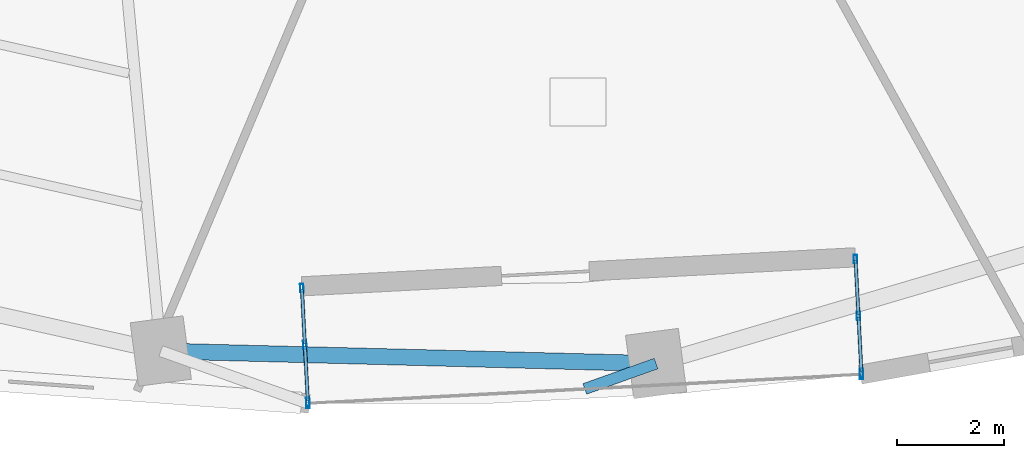
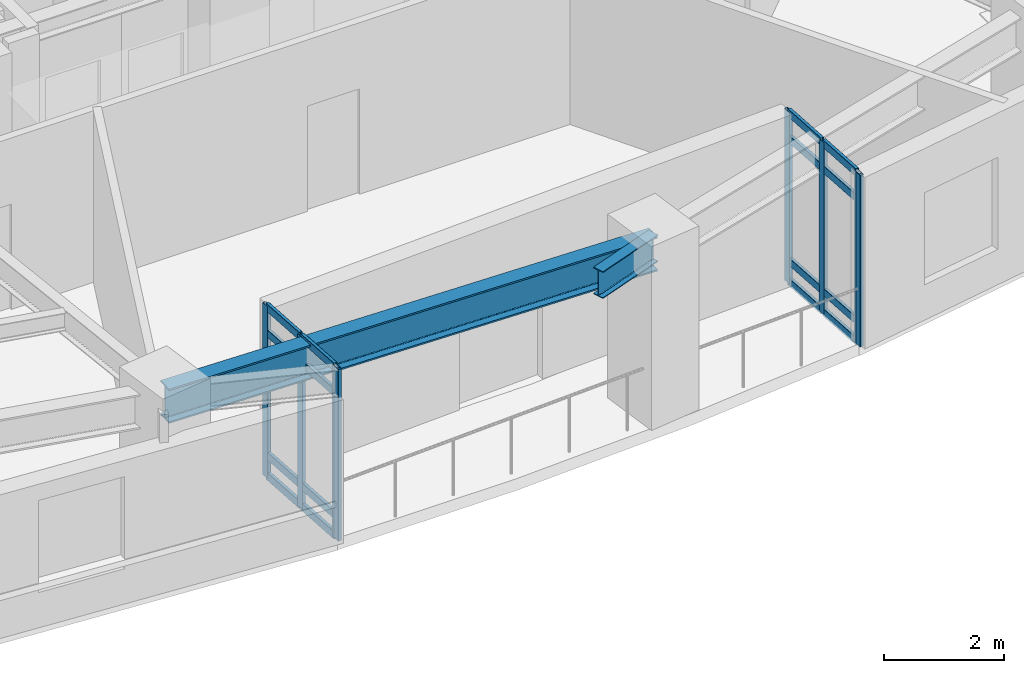
# One storey, part 2 of 11: 24 members, 2 beams, 2 elements without a shape of their own.
"""IFC4 building model written with IfcOpenShell, lengths in metres."""

from ifc_helpers import new_model, si_unit, direction, frame, origin, origin_2d, place, context, subcontext, project, spatial, hollow_rectangle, i_section, extrude, material, layer, layer_set, material_profile, profile_set, type_object, element, aggregate, save


model = new_model("IFC4")

# Units and contexts
model_context = context("Model", 3, precision=1e-05, world=origin(), true_north=direction((0.0, 1.0)))
body_context = subcontext(model_context, "Body", "Model", "MODEL_VIEW")
ifc_project = project(units=[si_unit("LENGTHUNIT", "METRE"), si_unit("AREAUNIT", "SQUARE_METRE"), si_unit("VOLUMEUNIT", "CUBIC_METRE"), si_unit("PLANEANGLEUNIT", "RADIAN"), si_unit("MASSUNIT", "GRAM", prefix="KILO")], contexts=[model_context])

# Site, building, storey
site_placement = place(None, origin())
site = spatial("IfcSite", under=ifc_project, at=site_placement, CompositionType="ELEMENT")
building_placement = place(site_placement, origin())
building = spatial("IfcBuilding", under=site, at=building_placement, Name="Ndelora Gate Hotel", CompositionType="ELEMENT")
storey_placement = place(building_placement, frame((0.0, 0.0, 49.25)))
storey = spatial("IfcBuildingStorey", under=building, at=storey_placement, Name="L11", CompositionType="ELEMENT", Elevation=49.25)

# Beams
ifc_material_1 = material(Name="Steel S355", Category="steel")
ifc_material_profile_1 = material_profile(ifc_material_1, i_section(OverallWidth=0.2099609375, OverallDepth=0.550048828125, WebThickness=0.010986328125, FlangeThickness=0.01708984375, FilletRadius=0.02392578125, at=origin_2d()), Name="IPE 550")
ifc_profile_set_1 = profile_set([ifc_material_profile_1], Name="Steel S355")
beam_type_1 = type_object("IfcBeamType", Name="BM-RAD-550", PredefinedType="BEAM", material=ifc_profile_set_1)
beam_1_placement = place(storey_placement, frame((2.2646484375, -17.20166015625, 3.22509765625), z_axis=(-0.942203837473, -0.335040189607, 0.0), x_axis=(0.335040189607, -0.942203837473, 0.0)))
element("IfcBeam", 1, at=beam_1_placement, inside=storey, type_object=beam_type_1, Name="L11 Sky-Garden Loggia Column Bracket 2", PredefinedType="BEAM", context=body_context, shape_type="SweptSolid", body=[
    extrude(i_section(OverallWidth=0.2099609375, OverallDepth=0.550048828125, WebThickness=0.010986328125, FlangeThickness=0.01708984375, FilletRadius=0.02392578125, at=origin_2d()), origin(), (0.0, 0.0, 1.0), 1.420166015625),
])
ifc_material_profile_2 = material_profile(ifc_material_1, i_section(OverallWidth=0.300048828125, OverallDepth=0.699951171875, WebThickness=0.01708984375, FlangeThickness=0.031982421875, FilletRadius=0.027099609375, at=origin_2d()), Name="HEB 700")
ifc_profile_set_2 = profile_set([ifc_material_profile_2], Name="Steel S355")
beam_type_2 = type_object("IfcBeamType", Name="BM-RING-700", PredefinedType="SPANDREL", material=ifc_profile_set_2)
beam_2_placement = place(storey_placement, frame((-7.027587890625, -16.96630859375, 3.14990234375), z_axis=(0.999679406439, -0.025319643409, 0.0), x_axis=(0.025319643409, 0.999679406439, 0.0)))
element("IfcBeam", 2, at=beam_2_placement, inside=storey, type_object=beam_type_2, Name="L11 Perimeter Spandrel Girder 6", PredefinedType="SPANDREL", context=body_context, shape_type="SweptSolid", body=[
    extrude(i_section(OverallWidth=0.300048828125, OverallDepth=0.699951171875, WebThickness=0.01708984375, FlangeThickness=0.031982421875, FilletRadius=0.027099609375, at=origin_2d()), origin(), (0.0, 0.0, 1.0), 9.295166015625),
])

# Curtain wall, members
ifc_material_2 = material(Name="Bronze Anodised Unitised Aluminium and Low-E Glass", Category="aluminium")
ifc_layer = layer(ifc_material_2, 0.199951171875)
ifc_layer_set = layer_set([ifc_layer], Name="Bronze Anodised Unitised Aluminium and Low-E Glass")
curtain_wall_type = type_object("IfcCurtainWallType", Name="CW-SYS-3", PredefinedType="NOTDEFINED", material=ifc_layer_set)
curtain_wall_1_placement = place(storey_placement, origin())
curtain_wall_1 = element("IfcCurtainWall", 3, at=curtain_wall_1_placement, inside=storey, type_object=curtain_wall_type, Name="L11 Sky-Garden Loggia Side Curtain Wall CW3-1", PredefinedType="NOTDEFINED")
ifc_material_3 = material(Name="Bronze Anodised Aluminium 6063-T6", Category="aluminium")
ifc_material_profile_3 = material_profile(ifc_material_3, hollow_rectangle(XDim=0.06494140625, YDim=0.159912109375, WallThickness=0.00390625, InnerFilletRadius=0.00390625, OuterFilletRadius=0.008056640625, at=origin_2d()), Name="ALU 160x65x4")
ifc_profile_set_3 = profile_set([ifc_material_profile_3], Name="Bronze Anodised Aluminium 6063-T6")
member_type_1 = type_object("IfcMemberType", Name="MB-CW-MUL150", PredefinedType="MULLION", material=ifc_profile_set_3)
member_1_placement = place(storey_placement, frame((-4.3798828125, -15.78515625, -0.00390625), z_axis=(0.0, 0.0, 1.0), x_axis=(0.998628106419, 0.052363203389, 0.0)))
member_1 = element("IfcMember", 4, at=member_1_placement, type_object=member_type_1, Name="CW3 mullion 1", PredefinedType="MULLION", context=body_context, shape_type="SweptSolid", body=[
    extrude(hollow_rectangle(XDim=0.06494140625, YDim=0.159912109375, WallThickness=0.00390625, InnerFilletRadius=0.00390625, OuterFilletRadius=0.008056640625, at=origin_2d()), origin(), (0.0, 0.0, 1.0), 3.5078125),
])
member_2_placement = place(storey_placement, frame((-4.323974609375, -16.851318359375, -0.00390625), z_axis=(0.0, 0.0, 1.0), x_axis=(0.998628106419, 0.052363203389, 0.0)))
member_2 = element("IfcMember", 5, at=member_2_placement, type_object=member_type_1, Name="CW3 mullion 2", PredefinedType="MULLION", context=body_context, shape_type="SweptSolid", body=[
    extrude(hollow_rectangle(XDim=0.06494140625, YDim=0.159912109375, WallThickness=0.00390625, InnerFilletRadius=0.00390625, OuterFilletRadius=0.008056640625, at=origin_2d()), origin(), (0.0, 0.0, 1.0), 3.5078125),
])
member_3_placement = place(storey_placement, frame((-4.26806640625, -17.917236328125, -0.00390625), z_axis=(0.0, 0.0, 1.0), x_axis=(0.998628106419, 0.052363203389, 0.0)))
member_3 = element("IfcMember", 6, at=member_3_placement, type_object=member_type_1, Name="CW3 mullion 3", PredefinedType="MULLION", context=body_context, shape_type="SweptSolid", body=[
    extrude(hollow_rectangle(XDim=0.06494140625, YDim=0.159912109375, WallThickness=0.00390625, InnerFilletRadius=0.00390625, OuterFilletRadius=0.008056640625, at=origin_2d()), origin(), (0.0, 0.0, 1.0), 3.5078125),
])

curtain_wall_2_placement = place(storey_placement, origin())
curtain_wall_2 = element("IfcCurtainWall", 7, at=curtain_wall_2_placement, inside=storey, type_object=curtain_wall_type, Name="L11 Sky-Garden Loggia Side Curtain Wall CW3-2", PredefinedType="NOTDEFINED")
member_4_placement = place(storey_placement, frame((6.11767578125, -17.373046875, -0.00390625), z_axis=(0.0, 0.0, 1.0), x_axis=(-0.998630482257, -0.052317873695, 0.0)))
member_4 = element("IfcMember", 8, at=member_4_placement, type_object=member_type_1, Name="CW3 mullion 1", PredefinedType="MULLION", context=body_context, shape_type="SweptSolid", body=[
    extrude(hollow_rectangle(XDim=0.06494140625, YDim=0.159912109375, WallThickness=0.00390625, InnerFilletRadius=0.00390625, OuterFilletRadius=0.008056640625, at=origin_2d()), origin(), (0.0, 0.0, 1.0), 3.5078125),
])
member_5_placement = place(storey_placement, frame((6.061767578125, -16.306884765625, -0.00390625), z_axis=(0.0, 0.0, 1.0), x_axis=(-0.998630482257, -0.052317873695, 0.0)))
member_5 = element("IfcMember", 9, at=member_5_placement, type_object=member_type_1, Name="CW3 mullion 2", PredefinedType="MULLION", context=body_context, shape_type="SweptSolid", body=[
    extrude(hollow_rectangle(XDim=0.06494140625, YDim=0.159912109375, WallThickness=0.00390625, InnerFilletRadius=0.00390625, OuterFilletRadius=0.008056640625, at=origin_2d()), origin(), (0.0, 0.0, 1.0), 3.5078125),
])
member_6_placement = place(storey_placement, frame((6.005859375, -15.240966796875, -0.00390625), z_axis=(0.0, 0.0, 1.0), x_axis=(-0.998630482257, -0.052317873695, 0.0)))
member_6 = element("IfcMember", 10, at=member_6_placement, type_object=member_type_1, Name="CW3 mullion 3", PredefinedType="MULLION", context=body_context, shape_type="SweptSolid", body=[
    extrude(hollow_rectangle(XDim=0.06494140625, YDim=0.159912109375, WallThickness=0.00390625, InnerFilletRadius=0.00390625, OuterFilletRadius=0.008056640625, at=origin_2d()), origin(), (0.0, 0.0, 1.0), 3.5078125),
])

# Member
ifc_material_profile_4 = material_profile(ifc_material_3, hollow_rectangle(XDim=0.070068359375, YDim=0.179931640625, WallThickness=0.0048828125, InnerFilletRadius=0.0048828125, OuterFilletRadius=0.010009765625, at=origin_2d()), Name="ALU 180x70x5")
ifc_profile_set_4 = profile_set([ifc_material_profile_4], Name="Bronze Anodised Aluminium 6063-T6")
member_type_2 = type_object("IfcMemberType", Name="MB-CW-MUL180", PredefinedType="MULLION", material=ifc_profile_set_4)
member_7_placement = place(storey_placement, frame((-4.266357421875, -17.94970703125, 0.0), z_axis=(0.0, 0.0, 1.0), x_axis=(1.0, 0.0, 0.0)))
member_7 = element("IfcMember", 11, at=member_7_placement, type_object=member_type_2, Name="L11 Sky-Garden Loggia Corner Mullion Post 1", PredefinedType="MULLION", context=body_context, shape_type="SweptSolid", body=[
    extrude(hollow_rectangle(XDim=0.070068359375, YDim=0.179931640625, WallThickness=0.0048828125, InnerFilletRadius=0.0048828125, OuterFilletRadius=0.010009765625, at=origin_2d()), origin(), (0.0, 0.0, 1.0), 3.5),
])

member_8_placement = place(storey_placement, frame((6.119384765625, -17.405517578125, 0.0), z_axis=(0.0, 0.0, 1.0), x_axis=(1.0, 0.0, 0.0)))
member_8 = element("IfcMember", 12, at=member_8_placement, type_object=member_type_2, Name="L11 Sky-Garden Loggia Corner Mullion Post 2", PredefinedType="MULLION", context=body_context, shape_type="SweptSolid", body=[
    extrude(hollow_rectangle(XDim=0.070068359375, YDim=0.179931640625, WallThickness=0.0048828125, InnerFilletRadius=0.0048828125, OuterFilletRadius=0.010009765625, at=origin_2d()), origin(), (0.0, 0.0, 1.0), 3.5),
])

ifc_material_profile_5 = material_profile(ifc_material_3, hollow_rectangle(XDim=0.06494140625, YDim=0.159912109375, WallThickness=0.00390625, InnerFilletRadius=0.00390625, OuterFilletRadius=0.008056640625, at=origin_2d()), Name="ALU 160x65x4")
ifc_profile_set_5 = profile_set([ifc_material_profile_5], Name="Bronze Anodised Aluminium 6063-T6")
member_type_3 = type_object("IfcMemberType", Name="MB-CW-TRN150", PredefinedType="USERDEFINED", material=ifc_profile_set_5)
member_9_placement = place(storey_placement, frame((-4.37841796875, -15.8115234375, 0.032470703125), z_axis=(0.052217819525, -0.998635719031, 0.0), x_axis=(0.998635719031, 0.052217819525, 0.0)))
member_9 = element("IfcMember", 13, at=member_9_placement, type_object=member_type_3, Name="CW3 transom 1.1", ObjectType="TRANSOM", PredefinedType="USERDEFINED", context=body_context, shape_type="SweptSolid", body=[
    extrude(hollow_rectangle(XDim=0.06494140625, YDim=0.159912109375, WallThickness=0.00390625, InnerFilletRadius=0.00390625, OuterFilletRadius=0.008056640625, at=origin_2d()), origin(), (0.0, 0.0, 1.0), 1.0146484375),
])

member_10_placement = place(storey_placement, frame((-4.37841796875, -15.8115234375, 0.449951171875), z_axis=(0.052217819525, -0.998635719031, 0.0), x_axis=(0.998635719031, 0.052217819525, 0.0)))
member_10 = element("IfcMember", 14, at=member_10_placement, type_object=member_type_3, Name="CW3 transom 1.2", ObjectType="TRANSOM", PredefinedType="USERDEFINED", context=body_context, shape_type="SweptSolid", body=[
    extrude(hollow_rectangle(XDim=0.06494140625, YDim=0.159912109375, WallThickness=0.00390625, InnerFilletRadius=0.00390625, OuterFilletRadius=0.008056640625, at=origin_2d()), origin(), (0.0, 0.0, 1.0), 1.0146484375),
])

member_11_placement = place(storey_placement, frame((-4.37841796875, -15.8115234375, 2.949951171875), z_axis=(0.052217819525, -0.998635719031, 0.0), x_axis=(0.998635719031, 0.052217819525, 0.0)))
member_11 = element("IfcMember", 15, at=member_11_placement, type_object=member_type_3, Name="CW3 transom 1.3", ObjectType="TRANSOM", PredefinedType="USERDEFINED", context=body_context, shape_type="SweptSolid", body=[
    extrude(hollow_rectangle(XDim=0.06494140625, YDim=0.159912109375, WallThickness=0.00390625, InnerFilletRadius=0.00390625, OuterFilletRadius=0.008056640625, at=origin_2d()), origin(), (0.0, 0.0, 1.0), 1.0146484375),
])

member_12_placement = place(storey_placement, frame((-4.37841796875, -15.8115234375, 3.467529296875), z_axis=(0.052217819525, -0.998635719031, 0.0), x_axis=(0.998635719031, 0.052217819525, 0.0)))
member_12 = element("IfcMember", 16, at=member_12_placement, type_object=member_type_3, Name="CW3 transom 1.4", ObjectType="TRANSOM", PredefinedType="USERDEFINED", context=body_context, shape_type="SweptSolid", body=[
    extrude(hollow_rectangle(XDim=0.06494140625, YDim=0.159912109375, WallThickness=0.00390625, InnerFilletRadius=0.00390625, OuterFilletRadius=0.008056640625, at=origin_2d()), origin(), (0.0, 0.0, 1.0), 1.0146484375),
])

member_13_placement = place(storey_placement, frame((-4.322509765625, -16.877685546875, 0.032470703125), z_axis=(0.052217819525, -0.998635719031, 0.0), x_axis=(0.998635719031, 0.052217819525, 0.0)))
member_13 = element("IfcMember", 17, at=member_13_placement, type_object=member_type_3, Name="CW3 transom 2.1", ObjectType="TRANSOM", PredefinedType="USERDEFINED", context=body_context, shape_type="SweptSolid", body=[
    extrude(hollow_rectangle(XDim=0.06494140625, YDim=0.159912109375, WallThickness=0.00390625, InnerFilletRadius=0.00390625, OuterFilletRadius=0.008056640625, at=origin_2d()), origin(), (0.0, 0.0, 1.0), 1.0146484375),
])

member_14_placement = place(storey_placement, frame((-4.322509765625, -16.877685546875, 0.449951171875), z_axis=(0.052217819525, -0.998635719031, 0.0), x_axis=(0.998635719031, 0.052217819525, 0.0)))
member_14 = element("IfcMember", 18, at=member_14_placement, type_object=member_type_3, Name="CW3 transom 2.2", ObjectType="TRANSOM", PredefinedType="USERDEFINED", context=body_context, shape_type="SweptSolid", body=[
    extrude(hollow_rectangle(XDim=0.06494140625, YDim=0.159912109375, WallThickness=0.00390625, InnerFilletRadius=0.00390625, OuterFilletRadius=0.008056640625, at=origin_2d()), origin(), (0.0, 0.0, 1.0), 1.0146484375),
])

member_15_placement = place(storey_placement, frame((-4.322509765625, -16.877685546875, 2.949951171875), z_axis=(0.052217819525, -0.998635719031, 0.0), x_axis=(0.998635719031, 0.052217819525, 0.0)))
member_15 = element("IfcMember", 19, at=member_15_placement, type_object=member_type_3, Name="CW3 transom 2.3", ObjectType="TRANSOM", PredefinedType="USERDEFINED", context=body_context, shape_type="SweptSolid", body=[
    extrude(hollow_rectangle(XDim=0.06494140625, YDim=0.159912109375, WallThickness=0.00390625, InnerFilletRadius=0.00390625, OuterFilletRadius=0.008056640625, at=origin_2d()), origin(), (0.0, 0.0, 1.0), 1.0146484375),
])

member_16_placement = place(storey_placement, frame((-4.322509765625, -16.877685546875, 3.467529296875), z_axis=(0.052217819525, -0.998635719031, 0.0), x_axis=(0.998635719031, 0.052217819525, 0.0)))
member_16 = element("IfcMember", 20, at=member_16_placement, type_object=member_type_3, Name="CW3 transom 2.4", ObjectType="TRANSOM", PredefinedType="USERDEFINED", context=body_context, shape_type="SweptSolid", body=[
    extrude(hollow_rectangle(XDim=0.06494140625, YDim=0.159912109375, WallThickness=0.00390625, InnerFilletRadius=0.00390625, OuterFilletRadius=0.008056640625, at=origin_2d()), origin(), (0.0, 0.0, 1.0), 1.0146484375),
])

aggregate(curtain_wall_1, [member_1, member_2, member_3, member_9, member_10, member_11, member_12, member_13, member_14, member_15, member_16, member_7])

member_17_placement = place(storey_placement, frame((6.1162109375, -17.346435546875, 0.032470703125), z_axis=(-0.052217819525, 0.998635719031, 0.0), x_axis=(-0.998635719031, -0.052217819525, 0.0)))
member_17 = element("IfcMember", 21, at=member_17_placement, type_object=member_type_3, Name="CW3 transom 1.1", ObjectType="TRANSOM", PredefinedType="USERDEFINED", context=body_context, shape_type="SweptSolid", body=[
    extrude(hollow_rectangle(XDim=0.06494140625, YDim=0.159912109375, WallThickness=0.00390625, InnerFilletRadius=0.00390625, OuterFilletRadius=0.008056640625, at=origin_2d()), origin(), (0.0, 0.0, 1.0), 1.0146484375),
])

member_18_placement = place(storey_placement, frame((6.1162109375, -17.346435546875, 0.449951171875), z_axis=(-0.052217819525, 0.998635719031, 0.0), x_axis=(-0.998635719031, -0.052217819525, 0.0)))
member_18 = element("IfcMember", 22, at=member_18_placement, type_object=member_type_3, Name="CW3 transom 1.2", ObjectType="TRANSOM", PredefinedType="USERDEFINED", context=body_context, shape_type="SweptSolid", body=[
    extrude(hollow_rectangle(XDim=0.06494140625, YDim=0.159912109375, WallThickness=0.00390625, InnerFilletRadius=0.00390625, OuterFilletRadius=0.008056640625, at=origin_2d()), origin(), (0.0, 0.0, 1.0), 1.0146484375),
])

member_19_placement = place(storey_placement, frame((6.1162109375, -17.346435546875, 2.949951171875), z_axis=(-0.052217819525, 0.998635719031, 0.0), x_axis=(-0.998635719031, -0.052217819525, 0.0)))
member_19 = element("IfcMember", 23, at=member_19_placement, type_object=member_type_3, Name="CW3 transom 1.3", ObjectType="TRANSOM", PredefinedType="USERDEFINED", context=body_context, shape_type="SweptSolid", body=[
    extrude(hollow_rectangle(XDim=0.06494140625, YDim=0.159912109375, WallThickness=0.00390625, InnerFilletRadius=0.00390625, OuterFilletRadius=0.008056640625, at=origin_2d()), origin(), (0.0, 0.0, 1.0), 1.0146484375),
])

member_20_placement = place(storey_placement, frame((6.1162109375, -17.346435546875, 3.467529296875), z_axis=(-0.052217819525, 0.998635719031, 0.0), x_axis=(-0.998635719031, -0.052217819525, 0.0)))
member_20 = element("IfcMember", 24, at=member_20_placement, type_object=member_type_3, Name="CW3 transom 1.4", ObjectType="TRANSOM", PredefinedType="USERDEFINED", context=body_context, shape_type="SweptSolid", body=[
    extrude(hollow_rectangle(XDim=0.06494140625, YDim=0.159912109375, WallThickness=0.00390625, InnerFilletRadius=0.00390625, OuterFilletRadius=0.008056640625, at=origin_2d()), origin(), (0.0, 0.0, 1.0), 1.0146484375),
])

member_21_placement = place(storey_placement, frame((6.060302734375, -16.280517578125, 0.032470703125), z_axis=(-0.052217819525, 0.998635719031, 0.0), x_axis=(-0.998635719031, -0.052217819525, 0.0)))
member_21 = element("IfcMember", 25, at=member_21_placement, type_object=member_type_3, Name="CW3 transom 2.1", ObjectType="TRANSOM", PredefinedType="USERDEFINED", context=body_context, shape_type="SweptSolid", body=[
    extrude(hollow_rectangle(XDim=0.06494140625, YDim=0.159912109375, WallThickness=0.00390625, InnerFilletRadius=0.00390625, OuterFilletRadius=0.008056640625, at=origin_2d()), origin(), (0.0, 0.0, 1.0), 1.0146484375),
])

member_22_placement = place(storey_placement, frame((6.060302734375, -16.280517578125, 0.449951171875), z_axis=(-0.052217819525, 0.998635719031, 0.0), x_axis=(-0.998635719031, -0.052217819525, 0.0)))
member_22 = element("IfcMember", 26, at=member_22_placement, type_object=member_type_3, Name="CW3 transom 2.2", ObjectType="TRANSOM", PredefinedType="USERDEFINED", context=body_context, shape_type="SweptSolid", body=[
    extrude(hollow_rectangle(XDim=0.06494140625, YDim=0.159912109375, WallThickness=0.00390625, InnerFilletRadius=0.00390625, OuterFilletRadius=0.008056640625, at=origin_2d()), origin(), (0.0, 0.0, 1.0), 1.0146484375),
])

member_23_placement = place(storey_placement, frame((6.060302734375, -16.280517578125, 2.949951171875), z_axis=(-0.052217819525, 0.998635719031, 0.0), x_axis=(-0.998635719031, -0.052217819525, 0.0)))
member_23 = element("IfcMember", 27, at=member_23_placement, type_object=member_type_3, Name="CW3 transom 2.3", ObjectType="TRANSOM", PredefinedType="USERDEFINED", context=body_context, shape_type="SweptSolid", body=[
    extrude(hollow_rectangle(XDim=0.06494140625, YDim=0.159912109375, WallThickness=0.00390625, InnerFilletRadius=0.00390625, OuterFilletRadius=0.008056640625, at=origin_2d()), origin(), (0.0, 0.0, 1.0), 1.0146484375),
])

member_24_placement = place(storey_placement, frame((6.060302734375, -16.280517578125, 3.467529296875), z_axis=(-0.052217819525, 0.998635719031, 0.0), x_axis=(-0.998635719031, -0.052217819525, 0.0)))
member_24 = element("IfcMember", 28, at=member_24_placement, type_object=member_type_3, Name="CW3 transom 2.4", ObjectType="TRANSOM", PredefinedType="USERDEFINED", context=body_context, shape_type="SweptSolid", body=[
    extrude(hollow_rectangle(XDim=0.06494140625, YDim=0.159912109375, WallThickness=0.00390625, InnerFilletRadius=0.00390625, OuterFilletRadius=0.008056640625, at=origin_2d()), origin(), (0.0, 0.0, 1.0), 1.0146484375),
])

aggregate(curtain_wall_2, [member_4, member_5, member_6, member_17, member_18, member_19, member_20, member_21, member_22, member_23, member_24, member_8])

save(model, "model.ifc")
